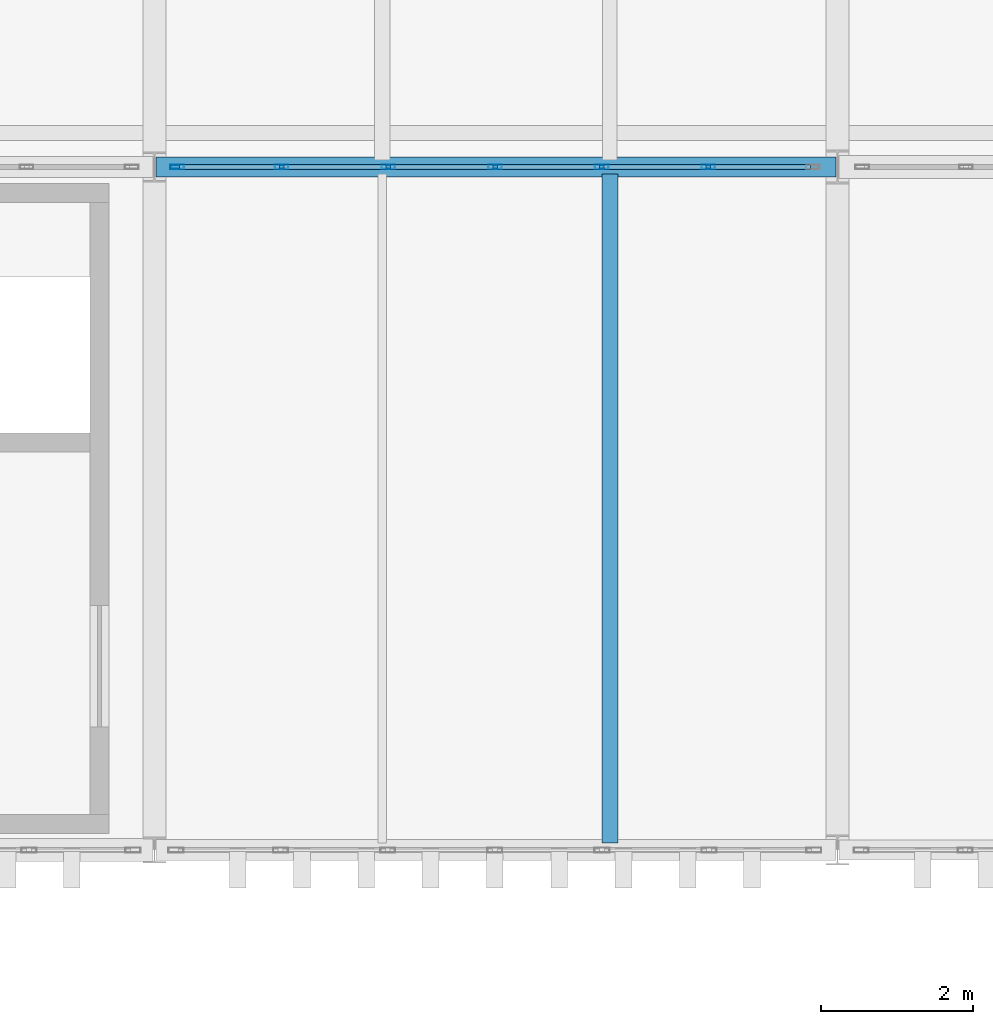
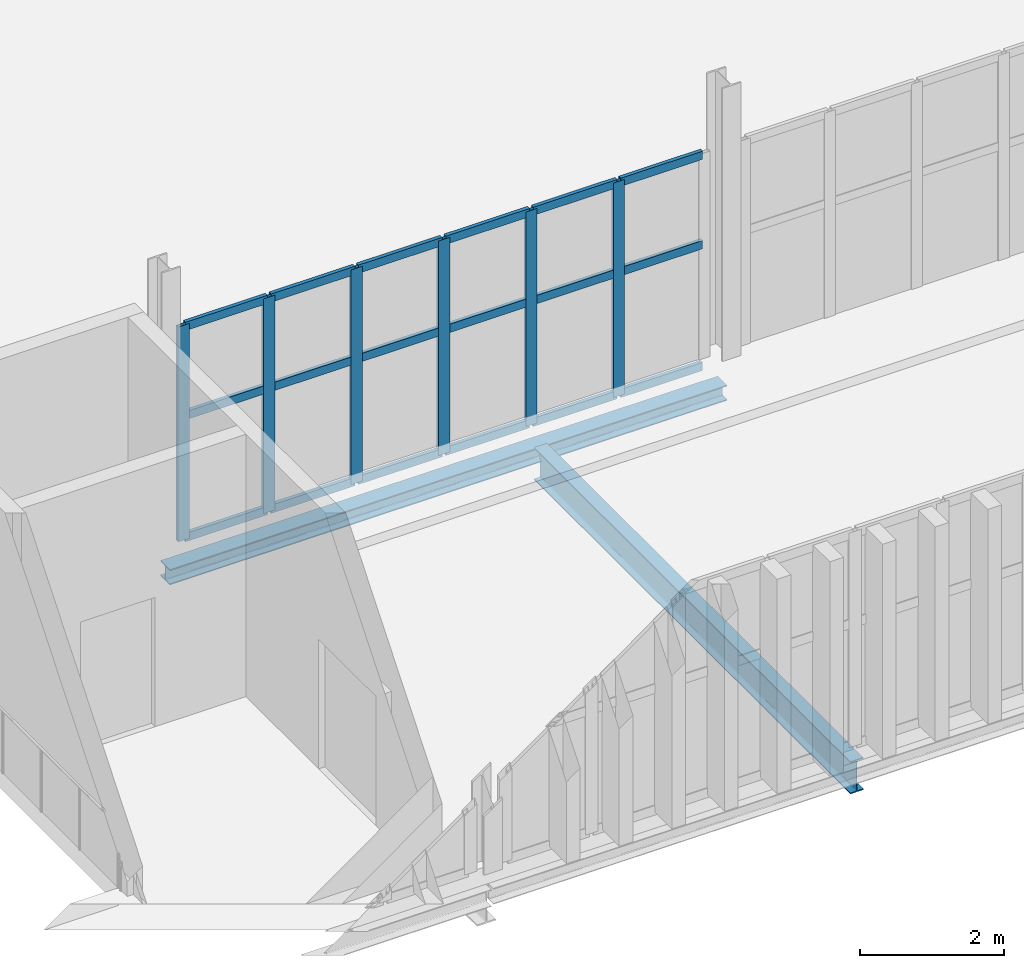
# One storey, part 32 of 196: 24 members, 2 beams, 1 element without a shape of its own.
"""IFC4 building model written with IfcOpenShell, lengths in metres."""

from ifc_helpers import new_model, si_unit, direction, frame, origin, origin_2d, place, context, subcontext, project, spatial, hollow_rectangle, i_section, extrude, material, layer, layer_set, material_profile, profile_set, type_object, element, aggregate, save


model = new_model("IFC4")

# Units and contexts
model_context = context("Model", 3, precision=1e-05, world=origin(), true_north=direction((0.0, 1.0)))
body_context = subcontext(model_context, "Body", "Model", "MODEL_VIEW")
ifc_project = project(units=[si_unit("LENGTHUNIT", "METRE"), si_unit("AREAUNIT", "SQUARE_METRE"), si_unit("VOLUMEUNIT", "CUBIC_METRE"), si_unit("PLANEANGLEUNIT", "RADIAN"), si_unit("MASSUNIT", "GRAM", prefix="KILO")], contexts=[model_context])

# Site, building, storey
site_placement = place(None, origin())
site = spatial("IfcSite", under=ifc_project, at=site_placement, CompositionType="ELEMENT")
building_placement = place(site_placement, origin())
building = spatial("IfcBuilding", under=site, at=building_placement, Name="Barlavento Convention Centre", CompositionType="ELEMENT")
storey_placement = place(building_placement, frame((0.0, 0.0, 18.0)))
storey = spatial("IfcBuildingStorey", under=building, at=storey_placement, Name="L03", CompositionType="ELEMENT", Elevation=18.0)

# Curtain wall, members
ifc_material_1 = material(Name="Powder-coated aluminium and Low-E glass", Category="aluminium")
ifc_layer = layer(ifc_material_1, 0.179931640625)
ifc_layer_set = layer_set([ifc_layer], Name="ARC-CW-CONF-L03")
curtain_wall_type = type_object("IfcCurtainWallType", Name="ARC-CW-CONF-L03", PredefinedType="NOTDEFINED", material=ifc_layer_set)
curtain_wall_placement = place(storey_placement, origin())
curtain_wall = element("IfcCurtainWall", 1, at=curtain_wall_placement, inside=storey, type_object=curtain_wall_type, Name="L03 unitised curtain wall CW08", PredefinedType="NOTDEFINED")
ifc_material_2 = material(Name="Powder-coated aluminium", Category="aluminium")
ifc_material_profile_1 = material_profile(ifc_material_2, hollow_rectangle(XDim=0.06005859375, YDim=0.179931640625, WallThickness=0.0048828125, at=origin_2d()), Name="AL-MULL 60x180x5")
ifc_profile_set_1 = profile_set([ifc_material_profile_1], Name="Powder-coated aluminium")
member_type_1 = type_object("IfcMemberType", Name="ARC-CWM-60X180", PredefinedType="MULLION", material=ifc_profile_set_1)
member_1_placement = place(storey_placement, frame((72.300048828125, 54.0, 0.0), z_axis=(0.0, 0.0, 1.0), x_axis=(0.0, 1.0, 0.0)))
member_1 = element("IfcMember", 2, at=member_1_placement, type_object=member_type_1, Name="CW08 mullion 1", PredefinedType="MULLION", context=body_context, shape_type="SweptSolid", body=[
    extrude(hollow_rectangle(XDim=0.06005859375, YDim=0.179931640625, WallThickness=0.0048828125, at=origin_2d()), origin(), (0.0, 0.0, 1.0), 3.64990234375),
])
member_2_placement = place(storey_placement, frame((73.67578125, 54.0, 0.0), z_axis=(0.0, 0.0, 1.0), x_axis=(0.0, 1.0, 0.0)))
member_2 = element("IfcMember", 3, at=member_2_placement, type_object=member_type_1, Name="CW08 mullion 2", PredefinedType="MULLION", context=body_context, shape_type="SweptSolid", body=[
    extrude(hollow_rectangle(XDim=0.06005859375, YDim=0.179931640625, WallThickness=0.0048828125, at=origin_2d()), origin(), (0.0, 0.0, 1.0), 3.64990234375),
])
member_3_placement = place(storey_placement, frame((75.081787109375, 54.0, 0.0), z_axis=(0.0, 0.0, 1.0), x_axis=(0.0, 1.0, 0.0)))
member_3 = element("IfcMember", 4, at=member_3_placement, type_object=member_type_1, Name="CW08 mullion 3", PredefinedType="MULLION", context=body_context, shape_type="SweptSolid", body=[
    extrude(hollow_rectangle(XDim=0.06005859375, YDim=0.179931640625, WallThickness=0.0048828125, at=origin_2d()), origin(), (0.0, 0.0, 1.0), 3.64990234375),
])
member_4_placement = place(storey_placement, frame((76.487548828125, 54.0, 0.0), z_axis=(0.0, 0.0, 1.0), x_axis=(0.0, 1.0, 0.0)))
member_4 = element("IfcMember", 5, at=member_4_placement, type_object=member_type_1, Name="CW08 mullion 4", PredefinedType="MULLION", context=body_context, shape_type="SweptSolid", body=[
    extrude(hollow_rectangle(XDim=0.06005859375, YDim=0.179931640625, WallThickness=0.0048828125, at=origin_2d()), origin(), (0.0, 0.0, 1.0), 3.64990234375),
])
member_5_placement = place(storey_placement, frame((77.893310546875, 54.0, 0.0), z_axis=(0.0, 0.0, 1.0), x_axis=(0.0, 1.0, 0.0)))
member_5 = element("IfcMember", 6, at=member_5_placement, type_object=member_type_1, Name="CW08 mullion 5", PredefinedType="MULLION", context=body_context, shape_type="SweptSolid", body=[
    extrude(hollow_rectangle(XDim=0.06005859375, YDim=0.179931640625, WallThickness=0.0048828125, at=origin_2d()), origin(), (0.0, 0.0, 1.0), 3.64990234375),
])
member_6_placement = place(storey_placement, frame((79.299072265625, 54.0, 0.0), z_axis=(0.0, 0.0, 1.0), x_axis=(0.0, 1.0, 0.0)))
member_6 = element("IfcMember", 7, at=member_6_placement, type_object=member_type_1, Name="CW08 mullion 6", PredefinedType="MULLION", context=body_context, shape_type="SweptSolid", body=[
    extrude(hollow_rectangle(XDim=0.06005859375, YDim=0.179931640625, WallThickness=0.0048828125, at=origin_2d()), origin(), (0.0, 0.0, 1.0), 3.64990234375),
])
ifc_material_profile_2 = material_profile(ifc_material_2, hollow_rectangle(XDim=0.06005859375, YDim=0.139892578125, WallThickness=0.00390625, at=origin_2d()), Name="AL-TRAN 60x140x4")
ifc_profile_set_2 = profile_set([ifc_material_profile_2], Name="Powder-coated aluminium")
member_type_2 = type_object("IfcMemberType", Name="ARC-CWT-60X140", PredefinedType="USERDEFINED", material=ifc_profile_set_2)
member_7_placement = place(storey_placement, frame((72.330078125, 54.0, 0.030029296875), z_axis=(1.0, 0.0, 0.0), x_axis=(0.0, 1.0, 0.0)))
member_7 = element("IfcMember", 8, at=member_7_placement, type_object=member_type_2, Name="CW08 transom 1.1", ObjectType="TRANSOM", PredefinedType="USERDEFINED", context=body_context, shape_type="SweptSolid", body=[
    extrude(hollow_rectangle(XDim=0.06005859375, YDim=0.139892578125, WallThickness=0.00390625, at=origin_2d()), origin(), (0.0, 0.0, 1.0), 1.315673828125),
])
member_8_placement = place(storey_placement, frame((72.330078125, 54.0, 2.10009765625), z_axis=(1.0, 0.0, 0.0), x_axis=(0.0, 1.0, 0.0)))
member_8 = element("IfcMember", 9, at=member_8_placement, type_object=member_type_2, Name="CW08 transom 1.2", ObjectType="TRANSOM", PredefinedType="USERDEFINED", context=body_context, shape_type="SweptSolid", body=[
    extrude(hollow_rectangle(XDim=0.06005859375, YDim=0.139892578125, WallThickness=0.00390625, at=origin_2d()), origin(), (0.0, 0.0, 1.0), 1.315673828125),
])
member_9_placement = place(storey_placement, frame((72.330078125, 54.0, 3.6201171875), z_axis=(1.0, 0.0, 0.0), x_axis=(0.0, 1.0, 0.0)))
member_9 = element("IfcMember", 10, at=member_9_placement, type_object=member_type_2, Name="CW08 transom 1.3", ObjectType="TRANSOM", PredefinedType="USERDEFINED", context=body_context, shape_type="SweptSolid", body=[
    extrude(hollow_rectangle(XDim=0.06005859375, YDim=0.139892578125, WallThickness=0.00390625, at=origin_2d()), origin(), (0.0, 0.0, 1.0), 1.315673828125),
])
member_10_placement = place(storey_placement, frame((73.705810546875, 54.0, 0.030029296875), z_axis=(1.0, 0.0, 0.0), x_axis=(0.0, 1.0, 0.0)))
member_10 = element("IfcMember", 11, at=member_10_placement, type_object=member_type_2, Name="CW08 transom 2.1", ObjectType="TRANSOM", PredefinedType="USERDEFINED", context=body_context, shape_type="SweptSolid", body=[
    extrude(hollow_rectangle(XDim=0.06005859375, YDim=0.139892578125, WallThickness=0.00390625, at=origin_2d()), origin(), (0.0, 0.0, 1.0), 1.345947265625),
])
member_11_placement = place(storey_placement, frame((73.705810546875, 54.0, 2.10009765625), z_axis=(1.0, 0.0, 0.0), x_axis=(0.0, 1.0, 0.0)))
member_11 = element("IfcMember", 12, at=member_11_placement, type_object=member_type_2, Name="CW08 transom 2.2", ObjectType="TRANSOM", PredefinedType="USERDEFINED", context=body_context, shape_type="SweptSolid", body=[
    extrude(hollow_rectangle(XDim=0.06005859375, YDim=0.139892578125, WallThickness=0.00390625, at=origin_2d()), origin(), (0.0, 0.0, 1.0), 1.345947265625),
])
member_12_placement = place(storey_placement, frame((73.705810546875, 54.0, 3.6201171875), z_axis=(1.0, 0.0, 0.0), x_axis=(0.0, 1.0, 0.0)))
member_12 = element("IfcMember", 13, at=member_12_placement, type_object=member_type_2, Name="CW08 transom 2.3", ObjectType="TRANSOM", PredefinedType="USERDEFINED", context=body_context, shape_type="SweptSolid", body=[
    extrude(hollow_rectangle(XDim=0.06005859375, YDim=0.139892578125, WallThickness=0.00390625, at=origin_2d()), origin(), (0.0, 0.0, 1.0), 1.345947265625),
])
member_13_placement = place(storey_placement, frame((75.111572265625, 54.0, 0.030029296875), z_axis=(1.0, 0.0, 0.0), x_axis=(0.0, 1.0, 0.0)))
member_13 = element("IfcMember", 14, at=member_13_placement, type_object=member_type_2, Name="CW08 transom 3.1", ObjectType="TRANSOM", PredefinedType="USERDEFINED", context=body_context, shape_type="SweptSolid", body=[
    extrude(hollow_rectangle(XDim=0.06005859375, YDim=0.139892578125, WallThickness=0.00390625, at=origin_2d()), origin(), (0.0, 0.0, 1.0), 1.345947265625),
])
member_14_placement = place(storey_placement, frame((75.111572265625, 54.0, 2.10009765625), z_axis=(1.0, 0.0, 0.0), x_axis=(0.0, 1.0, 0.0)))
member_14 = element("IfcMember", 15, at=member_14_placement, type_object=member_type_2, Name="CW08 transom 3.2", ObjectType="TRANSOM", PredefinedType="USERDEFINED", context=body_context, shape_type="SweptSolid", body=[
    extrude(hollow_rectangle(XDim=0.06005859375, YDim=0.139892578125, WallThickness=0.00390625, at=origin_2d()), origin(), (0.0, 0.0, 1.0), 1.345947265625),
])
member_15_placement = place(storey_placement, frame((75.111572265625, 54.0, 3.6201171875), z_axis=(1.0, 0.0, 0.0), x_axis=(0.0, 1.0, 0.0)))
member_15 = element("IfcMember", 16, at=member_15_placement, type_object=member_type_2, Name="CW08 transom 3.3", ObjectType="TRANSOM", PredefinedType="USERDEFINED", context=body_context, shape_type="SweptSolid", body=[
    extrude(hollow_rectangle(XDim=0.06005859375, YDim=0.139892578125, WallThickness=0.00390625, at=origin_2d()), origin(), (0.0, 0.0, 1.0), 1.345947265625),
])
member_16_placement = place(storey_placement, frame((76.517578125, 54.0, 0.030029296875), z_axis=(1.0, 0.0, 0.0), x_axis=(0.0, 1.0, 0.0)))
member_16 = element("IfcMember", 17, at=member_16_placement, type_object=member_type_2, Name="CW08 transom 4.1", ObjectType="TRANSOM", PredefinedType="USERDEFINED", context=body_context, shape_type="SweptSolid", body=[
    extrude(hollow_rectangle(XDim=0.06005859375, YDim=0.139892578125, WallThickness=0.00390625, at=origin_2d()), origin(), (0.0, 0.0, 1.0), 1.345703125),
])
member_17_placement = place(storey_placement, frame((76.517578125, 54.0, 2.10009765625), z_axis=(1.0, 0.0, 0.0), x_axis=(0.0, 1.0, 0.0)))
member_17 = element("IfcMember", 18, at=member_17_placement, type_object=member_type_2, Name="CW08 transom 4.2", ObjectType="TRANSOM", PredefinedType="USERDEFINED", context=body_context, shape_type="SweptSolid", body=[
    extrude(hollow_rectangle(XDim=0.06005859375, YDim=0.139892578125, WallThickness=0.00390625, at=origin_2d()), origin(), (0.0, 0.0, 1.0), 1.345703125),
])
member_18_placement = place(storey_placement, frame((76.517578125, 54.0, 3.6201171875), z_axis=(1.0, 0.0, 0.0), x_axis=(0.0, 1.0, 0.0)))
member_18 = element("IfcMember", 19, at=member_18_placement, type_object=member_type_2, Name="CW08 transom 4.3", ObjectType="TRANSOM", PredefinedType="USERDEFINED", context=body_context, shape_type="SweptSolid", body=[
    extrude(hollow_rectangle(XDim=0.06005859375, YDim=0.139892578125, WallThickness=0.00390625, at=origin_2d()), origin(), (0.0, 0.0, 1.0), 1.345703125),
])
member_19_placement = place(storey_placement, frame((77.92333984375, 54.0, 0.030029296875), z_axis=(1.0, 0.0, 0.0), x_axis=(0.0, 1.0, 0.0)))
member_19 = element("IfcMember", 20, at=member_19_placement, type_object=member_type_2, Name="CW08 transom 5.1", ObjectType="TRANSOM", PredefinedType="USERDEFINED", context=body_context, shape_type="SweptSolid", body=[
    extrude(hollow_rectangle(XDim=0.06005859375, YDim=0.139892578125, WallThickness=0.00390625, at=origin_2d()), origin(), (0.0, 0.0, 1.0), 1.345947265625),
])
member_20_placement = place(storey_placement, frame((77.92333984375, 54.0, 2.10009765625), z_axis=(1.0, 0.0, 0.0), x_axis=(0.0, 1.0, 0.0)))
member_20 = element("IfcMember", 21, at=member_20_placement, type_object=member_type_2, Name="CW08 transom 5.2", ObjectType="TRANSOM", PredefinedType="USERDEFINED", context=body_context, shape_type="SweptSolid", body=[
    extrude(hollow_rectangle(XDim=0.06005859375, YDim=0.139892578125, WallThickness=0.00390625, at=origin_2d()), origin(), (0.0, 0.0, 1.0), 1.345947265625),
])
member_21_placement = place(storey_placement, frame((77.92333984375, 54.0, 3.6201171875), z_axis=(1.0, 0.0, 0.0), x_axis=(0.0, 1.0, 0.0)))
member_21 = element("IfcMember", 22, at=member_21_placement, type_object=member_type_2, Name="CW08 transom 5.3", ObjectType="TRANSOM", PredefinedType="USERDEFINED", context=body_context, shape_type="SweptSolid", body=[
    extrude(hollow_rectangle(XDim=0.06005859375, YDim=0.139892578125, WallThickness=0.00390625, at=origin_2d()), origin(), (0.0, 0.0, 1.0), 1.345947265625),
])
member_22_placement = place(storey_placement, frame((79.3291015625, 54.0, 0.030029296875), z_axis=(1.0, 0.0, 0.0), x_axis=(0.0, 1.0, 0.0)))
member_22 = element("IfcMember", 23, at=member_22_placement, type_object=member_type_2, Name="CW08 transom 6.1", ObjectType="TRANSOM", PredefinedType="USERDEFINED", context=body_context, shape_type="SweptSolid", body=[
    extrude(hollow_rectangle(XDim=0.06005859375, YDim=0.139892578125, WallThickness=0.00390625, at=origin_2d()), origin(), (0.0, 0.0, 1.0), 1.31591796875),
])
member_23_placement = place(storey_placement, frame((79.3291015625, 54.0, 2.10009765625), z_axis=(1.0, 0.0, 0.0), x_axis=(0.0, 1.0, 0.0)))
member_23 = element("IfcMember", 24, at=member_23_placement, type_object=member_type_2, Name="CW08 transom 6.2", ObjectType="TRANSOM", PredefinedType="USERDEFINED", context=body_context, shape_type="SweptSolid", body=[
    extrude(hollow_rectangle(XDim=0.06005859375, YDim=0.139892578125, WallThickness=0.00390625, at=origin_2d()), origin(), (0.0, 0.0, 1.0), 1.31591796875),
])
member_24_placement = place(storey_placement, frame((79.3291015625, 54.0, 3.6201171875), z_axis=(1.0, 0.0, 0.0), x_axis=(0.0, 1.0, 0.0)))
member_24 = element("IfcMember", 25, at=member_24_placement, type_object=member_type_2, Name="CW08 transom 6.3", ObjectType="TRANSOM", PredefinedType="USERDEFINED", context=body_context, shape_type="SweptSolid", body=[
    extrude(hollow_rectangle(XDim=0.06005859375, YDim=0.139892578125, WallThickness=0.00390625, at=origin_2d()), origin(), (0.0, 0.0, 1.0), 1.31591796875),
])
aggregate(curtain_wall, [member_1, member_2, member_3, member_4, member_5, member_6, member_7, member_8, member_9, member_10, member_11, member_12, member_13, member_14, member_15, member_16, member_17, member_18, member_19, member_20, member_21, member_22, member_23, member_24])

# Beams
ifc_material_3 = material(Name="Steel S355", Category="steel")
ifc_material_profile_3 = material_profile(ifc_material_3, i_section(OverallWidth=0.2099609375, OverallDepth=0.550048828125, WebThickness=0.010986328125, FlangeThickness=0.01708984375, FilletRadius=0.02392578125, at=origin_2d()), Name="IPE 550")
ifc_profile_set_3 = profile_set([ifc_material_profile_3], Name="Steel S355")
beam_type_1 = type_object("IfcBeamType", Name="STR-BM-JST-IPE550", PredefinedType="JOIST", material=ifc_profile_set_3)
beam_1_placement = place(storey_placement, frame((78.0, 45.094970703125, -0.6201171875), z_axis=(0.0, 1.0, 0.0), x_axis=(-1.0, 0.0, 0.0)))
element("IfcBeam", 26, at=beam_1_placement, inside=storey, type_object=beam_type_1, Name="L03 composite floor joist SJ01", PredefinedType="JOIST", context=body_context, shape_type="SweptSolid", body=[
    extrude(i_section(OverallWidth=0.2099609375, OverallDepth=0.550048828125, WebThickness=0.010986328125, FlangeThickness=0.01708984375, FilletRadius=0.02392578125, at=origin_2d()), origin(), (0.0, 0.0, 1.0), 8.81005859375),
])
ifc_material_profile_4 = material_profile(ifc_material_3, i_section(OverallWidth=0.260009765625, OverallDepth=0.260009765625, WebThickness=0.010009765625, FlangeThickness=0.017578125, FilletRadius=0.02392578125, at=origin_2d()), Name="HEB 260")
ifc_profile_set_4 = profile_set([ifc_material_profile_4], Name="Steel S355")
beam_type_2 = type_object("IfcBeamType", Name="STR-BM-PRI-HEB260", PredefinedType="BEAM", material=ifc_profile_set_4)
beam_2_placement = place(storey_placement, frame((72.02001953125, 54.0, -0.47509765625), z_axis=(1.0, 0.0, 0.0), x_axis=(0.0, 1.0, 0.0)))
element("IfcBeam", 27, at=beam_2_placement, inside=storey, type_object=beam_type_2, Name="L03 primary girder BG16", PredefinedType="BEAM", context=body_context, shape_type="SweptSolid", body=[
    extrude(i_section(OverallWidth=0.260009765625, OverallDepth=0.260009765625, WebThickness=0.010009765625, FlangeThickness=0.017578125, FilletRadius=0.02392578125, at=origin_2d()), origin(), (0.0, 0.0, 1.0), 8.9599609375),
])

save(model, "model.ifc")
